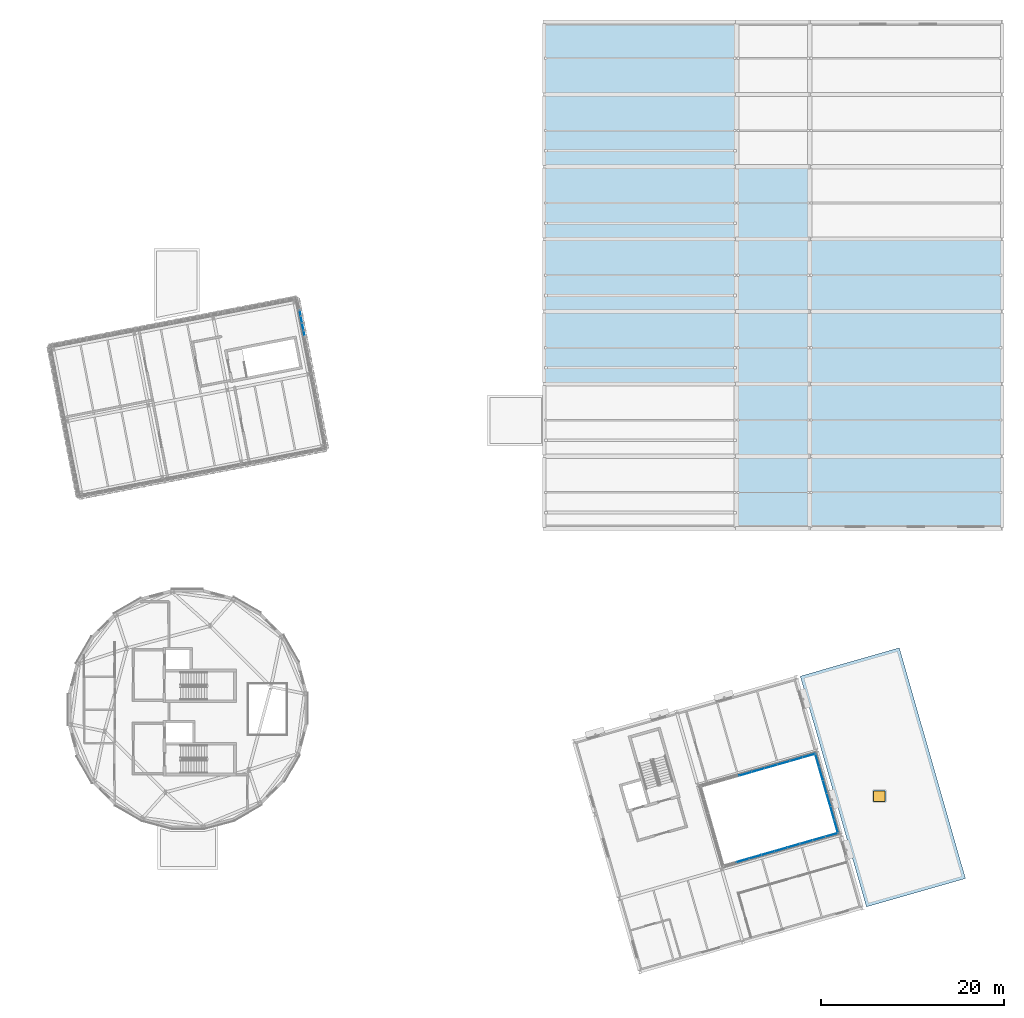
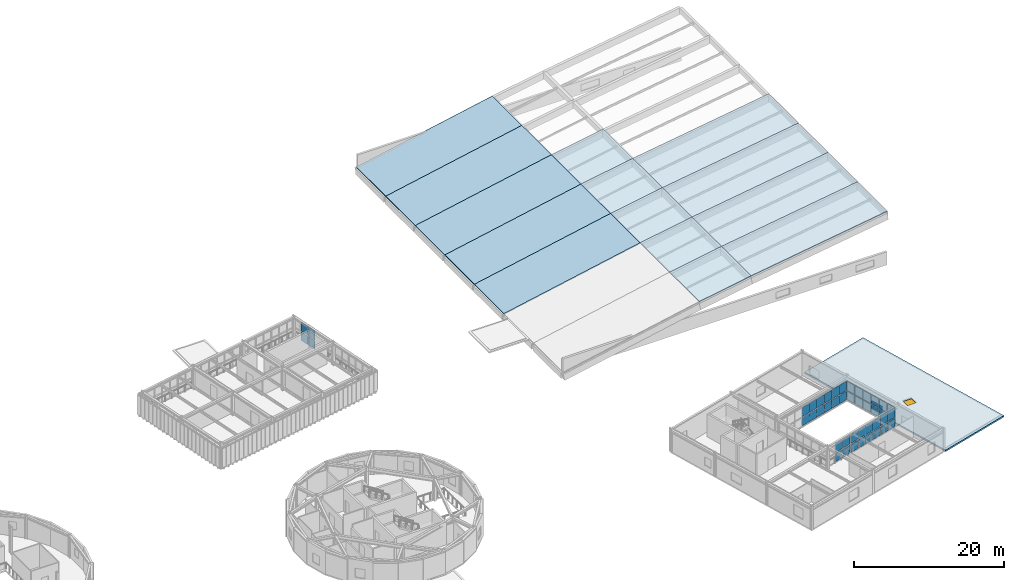
# One storey, part 24 of 44: 44 plates, 15 slabs, 1 door, 1 opening, 4 elements without a shape of their own.
"""IFC4 building model written with IfcOpenShell, lengths in metres."""

from ifc_helpers import new_model, si_unit, direction, frame, origin, origin_2d, place, context, subcontext, project, spatial, polyline, rectangle, outline, extrude, material, layer, layer_set, type_object, element, fill, aggregate, save


model = new_model("IFC4")

# Units and contexts
model_context = context("Model", 3, precision=1e-05, world=origin(), true_north=direction((0.0, 1.0)))
body_context = subcontext(model_context, "Body", "Model", "MODEL_VIEW")
ifc_project = project(units=[si_unit("LENGTHUNIT", "METRE"), si_unit("AREAUNIT", "SQUARE_METRE"), si_unit("VOLUMEUNIT", "CUBIC_METRE"), si_unit("PLANEANGLEUNIT", "RADIAN"), si_unit("MASSUNIT", "GRAM", prefix="KILO")], contexts=[model_context])

# Site, building, storey
site_placement = place(None, origin())
site = spatial("IfcSite", under=ifc_project, at=site_placement, CompositionType="ELEMENT")
building_placement = place(site_placement, origin())
building = spatial("IfcBuilding", under=site, at=building_placement, Name="Varnklinge Art Gallery", CompositionType="ELEMENT")
storey_placement = place(building_placement, frame((0.0, 0.0, 13.679931640625)))
storey = spatial("IfcBuildingStorey", under=building, at=storey_placement, Name="L03", CompositionType="ELEMENT", Elevation=13.679931640625)

# Curtain wall, plates
ifc_material_1 = material(Name="Anodised Aluminium", Category="aluminium")
curtain_wall_type_1 = type_object("IfcCurtainWallType", Name="CW-C03", PredefinedType="USERDEFINED", material=ifc_material_1)
curtain_wall_1_placement = place(storey_placement, origin())
curtain_wall_1 = element("IfcCurtainWall", 1, at=curtain_wall_1_placement, inside=storey, type_object=curtain_wall_type_1, Name="L03 Curtain Wall CW-V6C-L03-1", ObjectType="UNITISED CURTAIN WALL", PredefinedType="USERDEFINED")
ifc_material_2 = material(Name="Insulated Low-E Triple Glazing", Category="glass")
ifc_layer_1 = layer(ifc_material_2, 0.031982421875)
ifc_layer_set_1 = layer_set([ifc_layer_1], Name="Insulated Low-E Triple Glazing")
plate_type_1 = type_object("IfcPlateType", Name="GLZ-32", PredefinedType="CURTAIN_PANEL", material=ifc_layer_set_1)
plate_1_placement = place(storey_placement, frame((145.77978515625, 24.7626953125, 0.1181640625), z_axis=(0.0, 0.0, 1.0), x_axis=(-0.961261695938, -0.275637355817, 0.0)))
plate_1 = element("IfcPlate", 2, at=plate_1_placement, type_object=plate_type_1, Name="CW-V6C-L03-1 Glazing Panel 1.1", PredefinedType="CURTAIN_PANEL", context=body_context, shape_type="SweptSolid", body=[
    extrude(rectangle(XDim=1.3583984375, YDim=0.031982421875, at=origin_2d()), origin(), (0.0, 0.0, 1.0), 1.3935546875),
])
plate_2_placement = place(storey_placement, frame((145.77978515625, 24.7626953125, 1.627685546875), z_axis=(0.0, 0.0, 1.0), x_axis=(-0.961261695938, -0.275637355817, 0.0)))
plate_2 = element("IfcPlate", 3, at=plate_2_placement, type_object=plate_type_1, Name="CW-V6C-L03-1 Glazing Panel 1.2", PredefinedType="CURTAIN_PANEL", context=body_context, shape_type="SweptSolid", body=[
    extrude(rectangle(XDim=1.3583984375, YDim=0.031982421875, at=origin_2d()), origin(), (0.0, 0.0, 1.0), 1.5244140625),
])
plate_3_placement = place(storey_placement, frame((144.406005859375, 24.368896484375, 0.1181640625), z_axis=(0.0, 0.0, 1.0), x_axis=(-0.961261695938, -0.275637355817, 0.0)))
plate_3 = element("IfcPlate", 4, at=plate_3_placement, type_object=plate_type_1, Name="CW-V6C-L03-1 Glazing Panel 2.1", PredefinedType="CURTAIN_PANEL", context=body_context, shape_type="SweptSolid", body=[
    extrude(rectangle(XDim=1.388427734375, YDim=0.031982421875, at=origin_2d()), origin(), (0.0, 0.0, 1.0), 1.3935546875),
])
plate_4_placement = place(storey_placement, frame((144.406005859375, 24.368896484375, 1.627685546875), z_axis=(0.0, 0.0, 1.0), x_axis=(-0.961261695938, -0.275637355817, 0.0)))
plate_4 = element("IfcPlate", 5, at=plate_4_placement, type_object=plate_type_1, Name="CW-V6C-L03-1 Glazing Panel 2.2", PredefinedType="CURTAIN_PANEL", context=body_context, shape_type="SweptSolid", body=[
    extrude(rectangle(XDim=1.388427734375, YDim=0.031982421875, at=origin_2d()), origin(), (0.0, 0.0, 1.0), 1.5244140625),
])
plate_5_placement = place(storey_placement, frame((143.017333984375, 23.970703125, 0.1181640625), z_axis=(0.0, 0.0, 1.0), x_axis=(-0.961261695938, -0.275637355817, 0.0)))
plate_5 = element("IfcPlate", 6, at=plate_5_placement, type_object=plate_type_1, Name="CW-V6C-L03-1 Glazing Panel 3.1", PredefinedType="CURTAIN_PANEL", context=body_context, shape_type="SweptSolid", body=[
    extrude(rectangle(XDim=1.388427734375, YDim=0.031982421875, at=origin_2d()), origin(), (0.0, 0.0, 1.0), 1.3935546875),
])
plate_6_placement = place(storey_placement, frame((143.017333984375, 23.970703125, 1.627685546875), z_axis=(0.0, 0.0, 1.0), x_axis=(-0.961261695938, -0.275637355817, 0.0)))
plate_6 = element("IfcPlate", 7, at=plate_6_placement, type_object=plate_type_1, Name="CW-V6C-L03-1 Glazing Panel 3.2", PredefinedType="CURTAIN_PANEL", context=body_context, shape_type="SweptSolid", body=[
    extrude(rectangle(XDim=1.388427734375, YDim=0.031982421875, at=origin_2d()), origin(), (0.0, 0.0, 1.0), 1.5244140625),
])
plate_7_placement = place(storey_placement, frame((141.62890625, 23.572509765625, 0.1181640625), z_axis=(0.0, 0.0, 1.0), x_axis=(-0.961261695938, -0.275637355817, 0.0)))
plate_7 = element("IfcPlate", 8, at=plate_7_placement, type_object=plate_type_1, Name="CW-V6C-L03-1 Glazing Panel 4.1", PredefinedType="CURTAIN_PANEL", context=body_context, shape_type="SweptSolid", body=[
    extrude(rectangle(XDim=1.388427734375, YDim=0.031982421875, at=origin_2d()), origin(), (0.0, 0.0, 1.0), 1.3935546875),
])
plate_8_placement = place(storey_placement, frame((141.62890625, 23.572509765625, 1.627685546875), z_axis=(0.0, 0.0, 1.0), x_axis=(-0.961261695938, -0.275637355817, 0.0)))
plate_8 = element("IfcPlate", 9, at=plate_8_placement, type_object=plate_type_1, Name="CW-V6C-L03-1 Glazing Panel 4.2", PredefinedType="CURTAIN_PANEL", context=body_context, shape_type="SweptSolid", body=[
    extrude(rectangle(XDim=1.388427734375, YDim=0.031982421875, at=origin_2d()), origin(), (0.0, 0.0, 1.0), 1.5244140625),
])
plate_9_placement = place(storey_placement, frame((140.240478515625, 23.17431640625, 0.1181640625), z_axis=(0.0, 0.0, 1.0), x_axis=(-0.961261695938, -0.275637355817, 0.0)))
plate_9 = element("IfcPlate", 10, at=plate_9_placement, type_object=plate_type_1, Name="CW-V6C-L03-1 Glazing Panel 5.1", PredefinedType="CURTAIN_PANEL", context=body_context, shape_type="SweptSolid", body=[
    extrude(rectangle(XDim=1.388427734375, YDim=0.031982421875, at=origin_2d()), origin(), (0.0, 0.0, 1.0), 1.3935546875),
])
plate_10_placement = place(storey_placement, frame((140.240478515625, 23.17431640625, 1.627685546875), z_axis=(0.0, 0.0, 1.0), x_axis=(-0.961261695938, -0.275637355817, 0.0)))
plate_10 = element("IfcPlate", 11, at=plate_10_placement, type_object=plate_type_1, Name="CW-V6C-L03-1 Glazing Panel 5.2", PredefinedType="CURTAIN_PANEL", context=body_context, shape_type="SweptSolid", body=[
    extrude(rectangle(XDim=1.388427734375, YDim=0.031982421875, at=origin_2d()), origin(), (0.0, 0.0, 1.0), 1.5244140625),
])
plate_11_placement = place(storey_placement, frame((138.851806640625, 22.776123046875, 0.1181640625), z_axis=(0.0, 0.0, 1.0), x_axis=(-0.961261695938, -0.275637355817, 0.0)))
plate_11 = element("IfcPlate", 12, at=plate_11_placement, type_object=plate_type_1, Name="CW-V6C-L03-1 Glazing Panel 6.1", PredefinedType="CURTAIN_PANEL", context=body_context, shape_type="SweptSolid", body=[
    extrude(rectangle(XDim=1.388427734375, YDim=0.031982421875, at=origin_2d()), origin(), (0.0, 0.0, 1.0), 1.3935546875),
])
plate_12_placement = place(storey_placement, frame((138.851806640625, 22.776123046875, 1.627685546875), z_axis=(0.0, 0.0, 1.0), x_axis=(-0.961261695938, -0.275637355817, 0.0)))
plate_12 = element("IfcPlate", 13, at=plate_12_placement, type_object=plate_type_1, Name="CW-V6C-L03-1 Glazing Panel 6.2", PredefinedType="CURTAIN_PANEL", context=body_context, shape_type="SweptSolid", body=[
    extrude(rectangle(XDim=1.388427734375, YDim=0.031982421875, at=origin_2d()), origin(), (0.0, 0.0, 1.0), 1.5244140625),
])
plate_13_placement = place(storey_placement, frame((137.46337890625, 22.378173828125, 0.1181640625), z_axis=(0.0, 0.0, 1.0), x_axis=(-0.961261695938, -0.275637355817, 0.0)))
plate_13 = element("IfcPlate", 14, at=plate_13_placement, type_object=plate_type_1, Name="CW-V6C-L03-1 Glazing Panel 7.1", PredefinedType="CURTAIN_PANEL", context=body_context, shape_type="SweptSolid", body=[
    extrude(rectangle(XDim=1.388427734375, YDim=0.031982421875, at=origin_2d()), origin(), (0.0, 0.0, 1.0), 1.3935546875),
])
plate_14_placement = place(storey_placement, frame((137.46337890625, 22.378173828125, 1.627685546875), z_axis=(0.0, 0.0, 1.0), x_axis=(-0.961261695938, -0.275637355817, 0.0)))
plate_14 = element("IfcPlate", 15, at=plate_14_placement, type_object=plate_type_1, Name="CW-V6C-L03-1 Glazing Panel 7.2", PredefinedType="CURTAIN_PANEL", context=body_context, shape_type="SweptSolid", body=[
    extrude(rectangle(XDim=1.388427734375, YDim=0.031982421875, at=origin_2d()), origin(), (0.0, 0.0, 1.0), 1.5244140625),
])
plate_15_placement = place(storey_placement, frame((136.074951171875, 21.97998046875, 0.1181640625), z_axis=(0.0, 0.0, 1.0), x_axis=(-0.961261695938, -0.275637355817, 0.0)))
plate_15 = element("IfcPlate", 16, at=plate_15_placement, type_object=plate_type_1, Name="CW-V6C-L03-1 Glazing Panel 8.1", PredefinedType="CURTAIN_PANEL", context=body_context, shape_type="SweptSolid", body=[
    extrude(rectangle(XDim=1.388427734375, YDim=0.031982421875, at=origin_2d()), origin(), (0.0, 0.0, 1.0), 1.3935546875),
])
plate_16_placement = place(storey_placement, frame((136.074951171875, 21.97998046875, 1.627685546875), z_axis=(0.0, 0.0, 1.0), x_axis=(-0.961261695938, -0.275637355817, 0.0)))
plate_16 = element("IfcPlate", 17, at=plate_16_placement, type_object=plate_type_1, Name="CW-V6C-L03-1 Glazing Panel 8.2", PredefinedType="CURTAIN_PANEL", context=body_context, shape_type="SweptSolid", body=[
    extrude(rectangle(XDim=1.388427734375, YDim=0.031982421875, at=origin_2d()), origin(), (0.0, 0.0, 1.0), 1.5244140625),
])
aggregate(curtain_wall_1, [plate_1, plate_2, plate_3, plate_4, plate_5, plate_6, plate_7, plate_8, plate_9, plate_10, plate_11, plate_12, plate_13, plate_14, plate_15, plate_16])

curtain_wall_2_placement = place(storey_placement, origin())
curtain_wall_2 = element("IfcCurtainWall", 18, at=curtain_wall_2_placement, inside=storey, type_object=curtain_wall_type_1, Name="L03 Curtain Wall CW-V6C-L03-2", ObjectType="UNITISED CURTAIN WALL", PredefinedType="USERDEFINED")
plate_17_placement = place(storey_placement, frame((144.21875, 32.8818359375, 0.1181640625), z_axis=(0.0, 0.0, 1.0), x_axis=(0.275637355817, -0.961261695938, 0.0)))
plate_17 = element("IfcPlate", 19, at=plate_17_placement, type_object=plate_type_1, Name="CW-V6C-L03-2 Glazing Panel 1.1", PredefinedType="CURTAIN_PANEL", context=body_context, shape_type="SweptSolid", body=[
    extrude(rectangle(XDim=1.4140625, YDim=0.031982421875, at=origin_2d()), origin(), (0.0, 0.0, 1.0), 1.3935546875),
])
plate_18_placement = place(storey_placement, frame((144.21875, 32.8818359375, 1.627685546875), z_axis=(0.0, 0.0, 1.0), x_axis=(0.275637355817, -0.961261695938, 0.0)))
plate_18 = element("IfcPlate", 20, at=plate_18_placement, type_object=plate_type_1, Name="CW-V6C-L03-2 Glazing Panel 1.2", PredefinedType="CURTAIN_PANEL", context=body_context, shape_type="SweptSolid", body=[
    extrude(rectangle(XDim=1.4140625, YDim=0.031982421875, at=origin_2d()), origin(), (0.0, 0.0, 1.0), 1.5244140625),
])
plate_19_placement = place(storey_placement, frame((144.6279296875, 31.45458984375, 0.1181640625), z_axis=(0.0, 0.0, 1.0), x_axis=(0.275637355817, -0.961261695938, 0.0)))
plate_19 = element("IfcPlate", 21, at=plate_19_placement, type_object=plate_type_1, Name="CW-V6C-L03-2 Glazing Panel 2.1", PredefinedType="CURTAIN_PANEL", context=body_context, shape_type="SweptSolid", body=[
    extrude(rectangle(XDim=1.444091796875, YDim=0.031982421875, at=origin_2d()), origin(), (0.0, 0.0, 1.0), 1.3935546875),
])
plate_20_placement = place(storey_placement, frame((144.6279296875, 31.45458984375, 1.627685546875), z_axis=(0.0, 0.0, 1.0), x_axis=(0.275637355817, -0.961261695938, 0.0)))
plate_20 = element("IfcPlate", 22, at=plate_20_placement, type_object=plate_type_1, Name="CW-V6C-L03-2 Glazing Panel 2.2", PredefinedType="CURTAIN_PANEL", context=body_context, shape_type="SweptSolid", body=[
    extrude(rectangle(XDim=1.444091796875, YDim=0.031982421875, at=origin_2d()), origin(), (0.0, 0.0, 1.0), 1.5244140625),
])
plate_21_placement = place(storey_placement, frame((145.04150390625, 30.0126953125, 0.1181640625), z_axis=(0.0, 0.0, 1.0), x_axis=(0.275637355817, -0.961261695938, 0.0)))
plate_21 = element("IfcPlate", 23, at=plate_21_placement, type_object=plate_type_1, Name="CW-V6C-L03-2 Glazing Panel 3.1", PredefinedType="CURTAIN_PANEL", context=body_context, shape_type="SweptSolid", body=[
    extrude(rectangle(XDim=1.444091796875, YDim=0.031982421875, at=origin_2d()), origin(), (0.0, 0.0, 1.0), 1.3935546875),
])
plate_22_placement = place(storey_placement, frame((145.04150390625, 30.0126953125, 1.627685546875), z_axis=(0.0, 0.0, 1.0), x_axis=(0.275637355817, -0.961261695938, 0.0)))
plate_22 = element("IfcPlate", 24, at=plate_22_placement, type_object=plate_type_1, Name="CW-V6C-L03-2 Glazing Panel 3.2", PredefinedType="CURTAIN_PANEL", context=body_context, shape_type="SweptSolid", body=[
    extrude(rectangle(XDim=1.444091796875, YDim=0.031982421875, at=origin_2d()), origin(), (0.0, 0.0, 1.0), 1.5244140625),
])
plate_23_placement = place(storey_placement, frame((145.454833984375, 28.57080078125, 0.1181640625), z_axis=(0.0, 0.0, 1.0), x_axis=(0.275637355817, -0.961261695938, 0.0)))
plate_23 = element("IfcPlate", 25, at=plate_23_placement, type_object=plate_type_1, Name="CW-V6C-L03-2 Glazing Panel 4.1", PredefinedType="CURTAIN_PANEL", context=body_context, shape_type="SweptSolid", body=[
    extrude(rectangle(XDim=1.444091796875, YDim=0.031982421875, at=origin_2d()), origin(), (0.0, 0.0, 1.0), 1.3935546875),
])
plate_24_placement = place(storey_placement, frame((145.454833984375, 28.57080078125, 1.627685546875), z_axis=(0.0, 0.0, 1.0), x_axis=(0.275637355817, -0.961261695938, 0.0)))
plate_24 = element("IfcPlate", 26, at=plate_24_placement, type_object=plate_type_1, Name="CW-V6C-L03-2 Glazing Panel 4.2", PredefinedType="CURTAIN_PANEL", context=body_context, shape_type="SweptSolid", body=[
    extrude(rectangle(XDim=1.444091796875, YDim=0.031982421875, at=origin_2d()), origin(), (0.0, 0.0, 1.0), 1.5244140625),
])
plate_25_placement = place(storey_placement, frame((145.868408203125, 27.12890625, 0.1181640625), z_axis=(0.0, 0.0, 1.0), x_axis=(0.275637355817, -0.961261695938, 0.0)))
plate_25 = element("IfcPlate", 27, at=plate_25_placement, type_object=plate_type_1, Name="CW-V6C-L03-2 Glazing Panel 5.1", PredefinedType="CURTAIN_PANEL", context=body_context, shape_type="SweptSolid", body=[
    extrude(rectangle(XDim=1.444091796875, YDim=0.031982421875, at=origin_2d()), origin(), (0.0, 0.0, 1.0), 1.3935546875),
])
plate_26_placement = place(storey_placement, frame((145.868408203125, 27.12890625, 1.627685546875), z_axis=(0.0, 0.0, 1.0), x_axis=(0.275637355817, -0.961261695938, 0.0)))
plate_26 = element("IfcPlate", 28, at=plate_26_placement, type_object=plate_type_1, Name="CW-V6C-L03-2 Glazing Panel 5.2", PredefinedType="CURTAIN_PANEL", context=body_context, shape_type="SweptSolid", body=[
    extrude(rectangle(XDim=1.444091796875, YDim=0.031982421875, at=origin_2d()), origin(), (0.0, 0.0, 1.0), 1.5244140625),
])
plate_27_placement = place(storey_placement, frame((146.277587890625, 25.701416015625, 0.1181640625), z_axis=(0.0, 0.0, 1.0), x_axis=(0.275637355817, -0.961261695938, 0.0)))
plate_27 = element("IfcPlate", 29, at=plate_27_placement, type_object=plate_type_1, Name="CW-V6C-L03-2 Glazing Panel 6.1", PredefinedType="CURTAIN_PANEL", context=body_context, shape_type="SweptSolid", body=[
    extrude(rectangle(XDim=1.4140625, YDim=0.031982421875, at=origin_2d()), origin(), (0.0, 0.0, 1.0), 1.3935546875),
])
plate_28_placement = place(storey_placement, frame((146.277587890625, 25.701416015625, 1.627685546875), z_axis=(0.0, 0.0, 1.0), x_axis=(0.275637355817, -0.961261695938, 0.0)))
plate_28 = element("IfcPlate", 30, at=plate_28_placement, type_object=plate_type_1, Name="CW-V6C-L03-2 Glazing Panel 6.2", PredefinedType="CURTAIN_PANEL", context=body_context, shape_type="SweptSolid", body=[
    extrude(rectangle(XDim=1.4140625, YDim=0.031982421875, at=origin_2d()), origin(), (0.0, 0.0, 1.0), 1.5244140625),
])
aggregate(curtain_wall_2, [plate_17, plate_18, plate_19, plate_20, plate_21, plate_22, plate_23, plate_24, plate_25, plate_26, plate_27, plate_28])

curtain_wall_3_placement = place(storey_placement, origin())
curtain_wall_3 = element("IfcCurtainWall", 31, at=curtain_wall_3_placement, inside=storey, type_object=curtain_wall_type_1, Name="L03 Curtain Wall CW-V6C-L03-3", ObjectType="UNITISED CURTAIN WALL", PredefinedType="USERDEFINED")
plate_29_placement = place(storey_placement, frame((136.37109375, 31.427490234375, 0.1181640625), z_axis=(0.0, 0.0, 1.0), x_axis=(0.961261695938, 0.275637355817, 0.0)))
plate_29 = element("IfcPlate", 32, at=plate_29_placement, type_object=plate_type_1, Name="CW-V6C-L03-3 Glazing Panel 4.1", PredefinedType="CURTAIN_PANEL", context=body_context, shape_type="SweptSolid", body=[
    extrude(rectangle(XDim=1.388427734375, YDim=0.031982421875, at=origin_2d()), origin(), (0.0, 0.0, 1.0), 1.3935546875),
])
plate_30_placement = place(storey_placement, frame((136.37109375, 31.427490234375, 1.627685546875), z_axis=(0.0, 0.0, 1.0), x_axis=(0.961261695938, 0.275637355817, 0.0)))
plate_30 = element("IfcPlate", 33, at=plate_30_placement, type_object=plate_type_1, Name="CW-V6C-L03-3 Glazing Panel 4.2", PredefinedType="CURTAIN_PANEL", context=body_context, shape_type="SweptSolid", body=[
    extrude(rectangle(XDim=1.388427734375, YDim=0.031982421875, at=origin_2d()), origin(), (0.0, 0.0, 1.0), 1.5244140625),
])
plate_31_placement = place(storey_placement, frame((137.759521484375, 31.82568359375, 0.1181640625), z_axis=(0.0, 0.0, 1.0), x_axis=(0.961261695938, 0.275637355817, 0.0)))
plate_31 = element("IfcPlate", 34, at=plate_31_placement, type_object=plate_type_1, Name="CW-V6C-L03-3 Glazing Panel 5.1", PredefinedType="CURTAIN_PANEL", context=body_context, shape_type="SweptSolid", body=[
    extrude(rectangle(XDim=1.388427734375, YDim=0.031982421875, at=origin_2d()), origin(), (0.0, 0.0, 1.0), 1.3935546875),
])
plate_32_placement = place(storey_placement, frame((137.759521484375, 31.82568359375, 1.627685546875), z_axis=(0.0, 0.0, 1.0), x_axis=(0.961261695938, 0.275637355817, 0.0)))
plate_32 = element("IfcPlate", 35, at=plate_32_placement, type_object=plate_type_1, Name="CW-V6C-L03-3 Glazing Panel 5.2", PredefinedType="CURTAIN_PANEL", context=body_context, shape_type="SweptSolid", body=[
    extrude(rectangle(XDim=1.388427734375, YDim=0.031982421875, at=origin_2d()), origin(), (0.0, 0.0, 1.0), 1.5244140625),
])
plate_33_placement = place(storey_placement, frame((139.148193359375, 32.223876953125, 0.1181640625), z_axis=(0.0, 0.0, 1.0), x_axis=(0.961261695938, 0.275637355817, 0.0)))
plate_33 = element("IfcPlate", 36, at=plate_33_placement, type_object=plate_type_1, Name="CW-V6C-L03-3 Glazing Panel 6.1", PredefinedType="CURTAIN_PANEL", context=body_context, shape_type="SweptSolid", body=[
    extrude(rectangle(XDim=1.388427734375, YDim=0.031982421875, at=origin_2d()), origin(), (0.0, 0.0, 1.0), 1.3935546875),
])
plate_34_placement = place(storey_placement, frame((139.148193359375, 32.223876953125, 1.627685546875), z_axis=(0.0, 0.0, 1.0), x_axis=(0.961261695938, 0.275637355817, 0.0)))
plate_34 = element("IfcPlate", 37, at=plate_34_placement, type_object=plate_type_1, Name="CW-V6C-L03-3 Glazing Panel 6.2", PredefinedType="CURTAIN_PANEL", context=body_context, shape_type="SweptSolid", body=[
    extrude(rectangle(XDim=1.388427734375, YDim=0.031982421875, at=origin_2d()), origin(), (0.0, 0.0, 1.0), 1.5244140625),
])
plate_35_placement = place(storey_placement, frame((140.53662109375, 32.621826171875, 0.1181640625), z_axis=(0.0, 0.0, 1.0), x_axis=(0.961261695938, 0.275637355817, 0.0)))
plate_35 = element("IfcPlate", 38, at=plate_35_placement, type_object=plate_type_1, Name="CW-V6C-L03-3 Glazing Panel 7.1", PredefinedType="CURTAIN_PANEL", context=body_context, shape_type="SweptSolid", body=[
    extrude(rectangle(XDim=1.388427734375, YDim=0.031982421875, at=origin_2d()), origin(), (0.0, 0.0, 1.0), 1.3935546875),
])
plate_36_placement = place(storey_placement, frame((140.53662109375, 32.621826171875, 1.627685546875), z_axis=(0.0, 0.0, 1.0), x_axis=(0.961261695938, 0.275637355817, 0.0)))
plate_36 = element("IfcPlate", 39, at=plate_36_placement, type_object=plate_type_1, Name="CW-V6C-L03-3 Glazing Panel 7.2", PredefinedType="CURTAIN_PANEL", context=body_context, shape_type="SweptSolid", body=[
    extrude(rectangle(XDim=1.388427734375, YDim=0.031982421875, at=origin_2d()), origin(), (0.0, 0.0, 1.0), 1.5244140625),
])
plate_37_placement = place(storey_placement, frame((141.925048828125, 33.02001953125, 0.1181640625), z_axis=(0.0, 0.0, 1.0), x_axis=(0.961261695938, 0.275637355817, 0.0)))
plate_37 = element("IfcPlate", 40, at=plate_37_placement, type_object=plate_type_1, Name="CW-V6C-L03-3 Glazing Panel 8.1", PredefinedType="CURTAIN_PANEL", context=body_context, shape_type="SweptSolid", body=[
    extrude(rectangle(XDim=1.388427734375, YDim=0.031982421875, at=origin_2d()), origin(), (0.0, 0.0, 1.0), 1.3935546875),
])
plate_38_placement = place(storey_placement, frame((141.925048828125, 33.02001953125, 1.627685546875), z_axis=(0.0, 0.0, 1.0), x_axis=(0.961261695938, 0.275637355817, 0.0)))
plate_38 = element("IfcPlate", 41, at=plate_38_placement, type_object=plate_type_1, Name="CW-V6C-L03-3 Glazing Panel 8.2", PredefinedType="CURTAIN_PANEL", context=body_context, shape_type="SweptSolid", body=[
    extrude(rectangle(XDim=1.388427734375, YDim=0.031982421875, at=origin_2d()), origin(), (0.0, 0.0, 1.0), 1.5244140625),
])
plate_39_placement = place(storey_placement, frame((143.299072265625, 33.4140625, 0.1181640625), z_axis=(0.0, 0.0, 1.0), x_axis=(0.961261695938, 0.275637355817, 0.0)))
plate_39 = element("IfcPlate", 42, at=plate_39_placement, type_object=plate_type_1, Name="CW-V6C-L03-3 Glazing Panel 9.1", PredefinedType="CURTAIN_PANEL", context=body_context, shape_type="SweptSolid", body=[
    extrude(rectangle(XDim=1.3583984375, YDim=0.031982421875, at=origin_2d()), origin(), (0.0, 0.0, 1.0), 1.3935546875),
])
plate_40_placement = place(storey_placement, frame((143.299072265625, 33.4140625, 1.627685546875), z_axis=(0.0, 0.0, 1.0), x_axis=(0.961261695938, 0.275637355817, 0.0)))
plate_40 = element("IfcPlate", 43, at=plate_40_placement, type_object=plate_type_1, Name="CW-V6C-L03-3 Glazing Panel 9.2", PredefinedType="CURTAIN_PANEL", context=body_context, shape_type="SweptSolid", body=[
    extrude(rectangle(XDim=1.3583984375, YDim=0.031982421875, at=origin_2d()), origin(), (0.0, 0.0, 1.0), 1.5244140625),
])
aggregate(curtain_wall_3, [plate_29, plate_30, plate_31, plate_32, plate_33, plate_34, plate_35, plate_36, plate_37, plate_38, plate_39, plate_40])

ifc_material_3 = material(Name="Anodised Aluminium", Category="aluminium")
curtain_wall_type_2 = type_object("IfcCurtainWallType", Name="CW-L08", PredefinedType="USERDEFINED", material=ifc_material_3)
curtain_wall_4_placement = place(storey_placement, origin())
curtain_wall_4 = element("IfcCurtainWall", 44, at=curtain_wall_4_placement, inside=storey, type_object=curtain_wall_type_2, Name="L03 Curtain Wall CW-V4B-L03-2-1-3", ObjectType="UNITISED CURTAIN WALL", PredefinedType="USERDEFINED")
ifc_material_4 = material(Name="Insulated Low-E Triple Glazing", Category="glass")
ifc_layer_2 = layer(ifc_material_4, 0.0439453125)
ifc_layer_set_2 = layer_set([ifc_layer_2], Name="Insulated Low-E Triple Glazing")
plate_type_2 = type_object("IfcPlateType", Name="GLZ-44", PredefinedType="CURTAIN_PANEL", material=ifc_layer_set_2)
plate_41_placement = place(storey_placement, frame((88.111572265625, 79.943115234375, 0.14794921875), z_axis=(0.0, 0.0, 1.0), x_axis=(-0.190808995377, 0.981627183448, 0.0)))
plate_41 = element("IfcPlate", 45, at=plate_41_placement, type_object=plate_type_2, Name="CW-V4B-L03-2-1-3 Glazing Panel 2.1", PredefinedType="CURTAIN_PANEL", context=body_context, shape_type="SweptSolid", body=[
    extrude(rectangle(XDim=1.3291015625, YDim=0.0439453125, at=origin_2d()), origin(), (0.0, 0.0, 1.0), 1.367919921875),
])
plate_42_placement = place(storey_placement, frame((88.111572265625, 79.943115234375, 1.66162109375), z_axis=(0.0, 0.0, 1.0), x_axis=(-0.190808995377, 0.981627183448, 0.0)))
plate_42 = element("IfcPlate", 46, at=plate_42_placement, type_object=plate_type_2, Name="CW-V4B-L03-2-1-3 Glazing Panel 2.2", PredefinedType="CURTAIN_PANEL", context=body_context, shape_type="SweptSolid", body=[
    extrude(rectangle(XDim=1.3291015625, YDim=0.0439453125, at=origin_2d()), origin(), (0.0, 0.0, 1.0), 1.500244140625),
])
plate_43_placement = place(storey_placement, frame((87.844482421875, 81.3173828125, 0.14794921875), z_axis=(0.0, 0.0, 1.0), x_axis=(-0.190808995377, 0.981627183448, 0.0)))
plate_43 = element("IfcPlate", 47, at=plate_43_placement, type_object=plate_type_2, Name="CW-V4B-L03-2-1-3 Glazing Panel 3.1", PredefinedType="CURTAIN_PANEL", context=body_context, shape_type="SweptSolid", body=[
    extrude(rectangle(XDim=1.3291015625, YDim=0.0439453125, at=origin_2d()), origin(), (0.0, 0.0, 1.0), 1.367919921875),
])
plate_44_placement = place(storey_placement, frame((87.844482421875, 81.3173828125, 1.66162109375), z_axis=(0.0, 0.0, 1.0), x_axis=(-0.190808995377, 0.981627183448, 0.0)))
plate_44 = element("IfcPlate", 48, at=plate_44_placement, type_object=plate_type_2, Name="CW-V4B-L03-2-1-3 Glazing Panel 3.2", PredefinedType="CURTAIN_PANEL", context=body_context, shape_type="SweptSolid", body=[
    extrude(rectangle(XDim=1.3291015625, YDim=0.0439453125, at=origin_2d()), origin(), (0.0, 0.0, 1.0), 1.500244140625),
])
aggregate(curtain_wall_4, [plate_41, plate_42, plate_43, plate_44])

# Slab, opening, door
ifc_material_5 = material(Name="Concrete C35/45", Category="concrete")
ifc_layer_3 = layer(ifc_material_5, 0.239990234375)
ifc_layer_set_3 = layer_set([ifc_layer_3], Name="Concrete C35/45")
slab_type_1 = type_object("IfcSlabType", Name="SLB-ROOF24", PredefinedType="ROOF", material=ifc_layer_set_3)
slab_1_placement = place(storey_placement, frame((0.0, 0.0, -0.239990234375)))
slab_1 = element("IfcSlab", 49, at=slab_1_placement, inside=storey, type_object=slab_type_1, Name="L03 Studios East Stepped Green Roof", PredefinedType="ROOF", context=body_context, shape_type="SweptSolid", body=[
    extrude(outline(polyline([(149.580078125, 16.90576171875), (160.394287109375, 20.0068359375), (153.172607421875, 45.19189453125), (142.3583984375, 42.0908203125), (149.580078125, 16.90576171875)]), holes=[polyline([(150.375, 28.425048828125), (150.375, 29.574951171875), (151.625, 29.574951171875), (151.625, 28.425048828125), (150.375, 28.425048828125)])]), origin(), (0.0, 0.0, 1.0), 0.239990234375),
])
opening_placement = place(slab_1_placement, frame((151.0, 29.0, 0.0)))
opening = element("IfcOpeningElement", 50, at=opening_placement, cuts=slab_1, Name="Opening RH-03", PredefinedType="OPENING", context=body_context, shape_type="SweptSolid", body=[
    extrude(rectangle(XDim=1.25, YDim=1.14990234375, at=origin_2d()), origin(), (0.0, 0.0, 1.0), 0.239990234375),
])
ifc_material_6 = material(Name="Anodised Aluminium", Category="aluminium")
door_type = type_object("IfcDoorType", Name="RH-T2", OperationType="SINGLE_SWING_LEFT", PredefinedType="TRAPDOOR", material=ifc_material_6)
door_placement = place(opening_placement, frame((0.0, 0.0, 0.18994140625)))
door = element("IfcDoor", 51, at=door_placement, inside=storey, type_object=door_type, Name="L03 Roof Maintenance Access Hatch RH-03", OperationType="SINGLE_SWING_LEFT", OverallHeight=1.14990234375, OverallWidth=1.25, PredefinedType="TRAPDOOR", context=body_context, shape_type="SweptSolid", body=[
    extrude(rectangle(XDim=1.25, YDim=1.14990234375, at=origin_2d()), origin(), (0.0, 0.0, 1.0), 0.050048828125),
])
fill(opening, door)

# Slabs
ifc_material_7 = material(Name="Concrete C45/55", Category="concrete")
ifc_layer_4 = layer(ifc_material_7, 0.159912109375)
ifc_layer_set_4 = layer_set([ifc_layer_4], Name="Concrete C45/55")
slab_type_2 = type_object("IfcSlabType", Name="SLB-SHELL16", PredefinedType="ROOF", material=ifc_layer_set_4)
slab_2_placement = place(storey_placement, frame((114.39990234375, 74.0, 0.0), z_axis=(-0.196113942833, 0.0, 0.980581114149), x_axis=(0.980581114149, 0.0, 0.196113942833)))
element("IfcSlab", 52, at=slab_2_placement, inside=storey, type_object=slab_type_2, Name="Shell Gallery Vault Bay 3 Facet 1", PredefinedType="ROOF", context=body_context, shape_type="SweptSolid", body=[
    extrude(outline(polyline([(0.0, 0.0), (21.41587238116006, 0.0), (21.41587238116006, 7.89990234375), (0.0, 7.89990234375), (0.0, 0.0)])), origin(), (0.0, 0.0, -1.0), 0.159912109375),
])
slab_3_placement = place(storey_placement, frame((114.39990234375, 81.89990234375, 0.0), z_axis=(-0.196113942833, 0.0, 0.980581114149), x_axis=(0.980581114149, 0.0, 0.196113942833)))
element("IfcSlab", 53, at=slab_3_placement, inside=storey, type_object=slab_type_2, Name="Shell Gallery Vault Bay 4 Facet 1", PredefinedType="ROOF", context=body_context, shape_type="SweptSolid", body=[
    extrude(outline(polyline([(0.0, 0.0), (21.41587238116006, 0.0), (21.41587238116006, 7.900146484375), (0.0, 7.900146484375), (0.0, 0.0)])), origin(), (0.0, 0.0, -1.0), 0.159912109375),
])
slab_4_placement = place(storey_placement, frame((114.39990234375, 89.800048828125, 0.0), z_axis=(-0.196113942833, 0.0, 0.980581114149), x_axis=(0.980581114149, 0.0, 0.196113942833)))
element("IfcSlab", 54, at=slab_4_placement, inside=storey, type_object=slab_type_2, Name="Shell Gallery Vault Bay 5 Facet 1", PredefinedType="ROOF", context=body_context, shape_type="SweptSolid", body=[
    extrude(outline(polyline([(0.0, 0.0), (21.41587238116006, 0.0), (21.41587238116006, 7.89990234375), (0.0, 7.89990234375), (0.0, 0.0)])), origin(), (0.0, 0.0, -1.0), 0.159912109375),
])
slab_5_placement = place(storey_placement, frame((114.39990234375, 97.699951171875, 0.0), z_axis=(-0.196113942833, 0.0, 0.980581114149), x_axis=(0.980581114149, 0.0, 0.196113942833)))
element("IfcSlab", 55, at=slab_5_placement, inside=storey, type_object=slab_type_2, Name="Shell Gallery Vault Bay 6 Facet 1", PredefinedType="ROOF", context=body_context, shape_type="SweptSolid", body=[
    extrude(outline(polyline([(0.0, 0.0), (21.41587238116006, 0.0), (21.41587238116006, 7.900146484375), (0.0, 7.900146484375), (0.0, 0.0)])), origin(), (0.0, 0.0, -1.0), 0.159912109375),
])
slab_6_placement = place(storey_placement, frame((114.39990234375, 105.60009765625, 0.0), z_axis=(-0.196113942833, 0.0, 0.980581114149), x_axis=(0.980581114149, 0.0, 0.196113942833)))
element("IfcSlab", 56, at=slab_6_placement, inside=storey, type_object=slab_type_2, Name="Shell Gallery Vault Bay 7 Facet 1", PredefinedType="ROOF", context=body_context, shape_type="SweptSolid", body=[
    extrude(outline(polyline([(0.0, 0.0), (21.41587238116006, 0.0), (21.41587238116006, 7.89990234375), (0.0, 7.89990234375), (0.0, 0.0)])), origin(), (0.0, 0.0, -1.0), 0.159912109375),
])
slab_7_placement = place(storey_placement, frame((135.39990234375, 58.199951171875, 4.199951171875), z_axis=(-0.172397832165, 0.0, 0.985027404423), x_axis=(0.985027404423, 0.0, 0.172397832165)))
element("IfcSlab", 57, at=slab_7_placement, inside=storey, type_object=slab_type_2, Name="Shell Gallery Vault Bay 1 Facet 2", PredefinedType="ROOF", context=body_context, shape_type="SweptSolid", body=[
    extrude(outline(polyline([(0.0, 0.0), (8.121601454005711, 0.0), (8.121601454005711, 7.900146484375), (0.0, 7.900146484375), (0.0, 0.0)])), origin(), (0.0, 0.0, -1.0), 0.159912109375),
])
for number, where, z_axis, x_axis, name in (
    (58, (135.39990234375, 66.10009765625, 4.199951171875), (-0.172397832165, 0.0, 0.985027404423), (0.985027404423, 0.0, 0.172397832165), "Shell Gallery Vault Bay 2 Facet 2"),
    (59, (135.39990234375, 74.0, 4.199951171875), (-0.172397832165, 0.0, 0.985027404423), (0.985027404423, 0.0, 0.172397832165), "Shell Gallery Vault Bay 3 Facet 2"),
):
    element("IfcSlab", number, at=place(storey_placement, frame(where, z_axis=z_axis, x_axis=x_axis)), inside=storey, type_object=slab_type_2, Name=name, PredefinedType="ROOF", context=body_context, shape_type="SweptSolid", body=[
        extrude(outline(polyline([(0.0, 0.0), (8.121601454005711, 0.0), (8.121601454005711, 7.899902343750002), (0.0, 7.899902343750002), (0.0, 0.0)])), origin(), (0.0, 0.0, -1.0), 0.159912109375),
    ])
slab_8_placement = place(storey_placement, frame((135.39990234375, 81.89990234375, 4.199951171875), z_axis=(-0.172397832165, 0.0, 0.985027404423), x_axis=(0.985027404423, 0.0, 0.172397832165)))
element("IfcSlab", 60, at=slab_8_placement, inside=storey, type_object=slab_type_2, Name="Shell Gallery Vault Bay 4 Facet 2", PredefinedType="ROOF", context=body_context, shape_type="SweptSolid", body=[
    extrude(outline(polyline([(0.0, 0.0), (8.121601454005711, 0.0), (8.121601454005711, 7.900146484375), (0.0, 7.900146484375), (0.0, 0.0)])), origin(), (0.0, 0.0, -1.0), 0.159912109375),
])
slab_9_placement = place(storey_placement, frame((135.39990234375, 89.800048828125, 4.199951171875), z_axis=(-0.172397832165, 0.0, 0.985027404423), x_axis=(0.985027404423, 0.0, 0.172397832165)))
element("IfcSlab", 61, at=slab_9_placement, inside=storey, type_object=slab_type_2, Name="Shell Gallery Vault Bay 5 Facet 2", PredefinedType="ROOF", context=body_context, shape_type="SweptSolid", body=[
    extrude(outline(polyline([(0.0, 0.0), (8.121601454005711, 0.0), (8.121601454005711, 7.899902343750002), (0.0, 7.899902343750002), (0.0, 0.0)])), origin(), (0.0, 0.0, -1.0), 0.159912109375),
])
slab_10_placement = place(storey_placement, frame((143.39990234375, 58.199951171875, 5.60009765625), z_axis=(-0.15063979173, 0.0, 0.988588717894), x_axis=(0.988588717894, 0.0, 0.15063979173)))
element("IfcSlab", 62, at=slab_10_placement, inside=storey, type_object=slab_type_2, Name="Shell Gallery Vault Bay 1 Facet 3", PredefinedType="ROOF", context=body_context, shape_type="SweptSolid", body=[
    extrude(outline(polyline([(0.0, 0.0), (21.242403053853963, 0.0), (21.242403053853963, 7.900146484375), (0.0, 7.900146484375), (0.0, 0.0)])), origin(), (0.0, 0.0, -1.0), 0.159912109375),
])
for number, where, z_axis, x_axis, name in (
    (63, (143.39990234375, 66.10009765625, 5.60009765625), (-0.15063979173, 0.0, 0.988588717894), (0.988588717894, 0.0, 0.15063979173), "Shell Gallery Vault Bay 2 Facet 3"),
    (64, (143.39990234375, 74.0, 5.60009765625), (-0.15063979173, 0.0, 0.988588717894), (0.988588717894, 0.0, 0.15063979173), "Shell Gallery Vault Bay 3 Facet 3"),
):
    element("IfcSlab", number, at=place(storey_placement, frame(where, z_axis=z_axis, x_axis=x_axis)), inside=storey, type_object=slab_type_2, Name=name, PredefinedType="ROOF", context=body_context, shape_type="SweptSolid", body=[
        extrude(outline(polyline([(0.0, 0.0), (21.242403053853963, 0.0), (21.242403053853963, 7.89990234375), (0.0, 7.89990234375), (0.0, 0.0)])), origin(), (0.0, 0.0, -1.0), 0.159912109375),
    ])
slab_11_placement = place(storey_placement, frame((143.39990234375, 81.89990234375, 5.60009765625), z_axis=(-0.15063979173, 0.0, 0.988588717894), x_axis=(0.988588717894, 0.0, 0.15063979173)))
element("IfcSlab", 65, at=slab_11_placement, inside=storey, type_object=slab_type_2, Name="Shell Gallery Vault Bay 4 Facet 3", PredefinedType="ROOF", context=body_context, shape_type="SweptSolid", body=[
    extrude(outline(polyline([(0.0, 0.0), (21.242403053853963, 0.0), (21.242403053853963, 7.900146484375), (0.0, 7.900146484375), (0.0, 0.0)])), origin(), (0.0, 0.0, -1.0), 0.159912109375),
])

save(model, "model.ifc")
